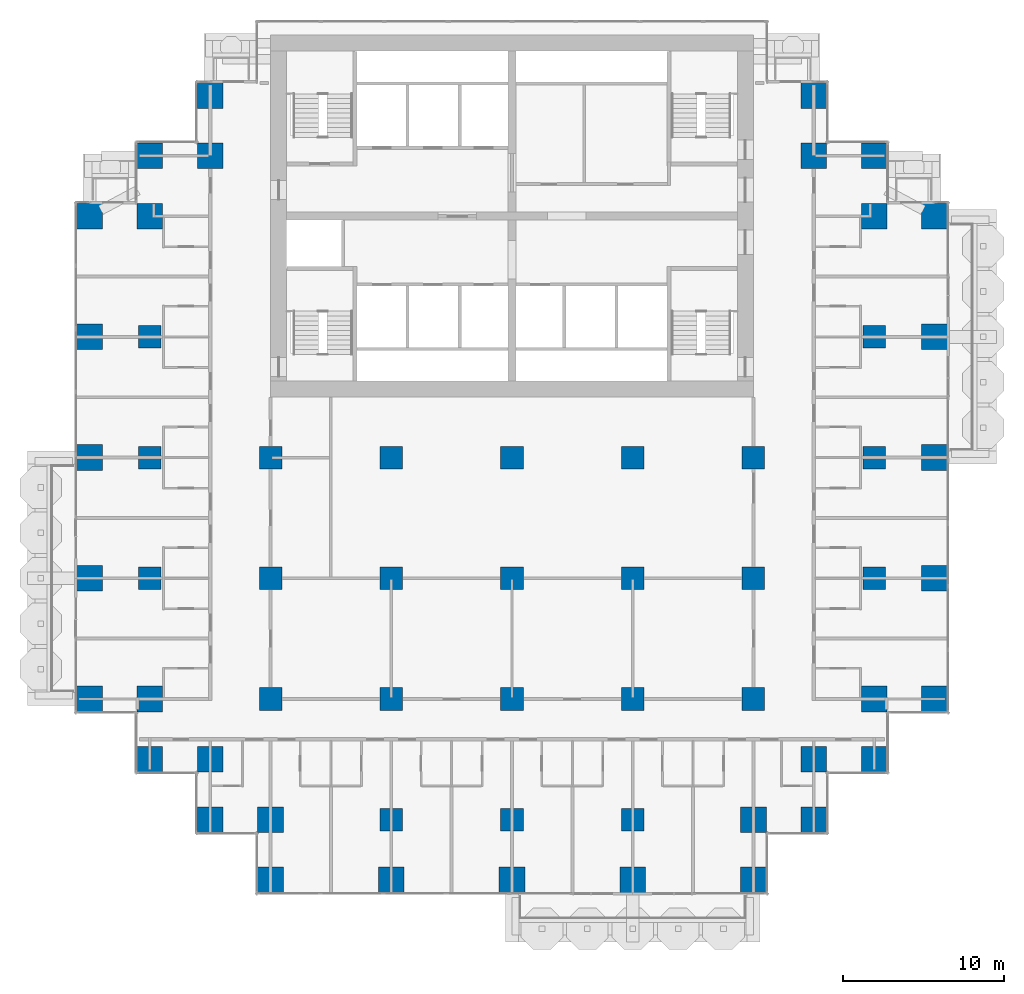
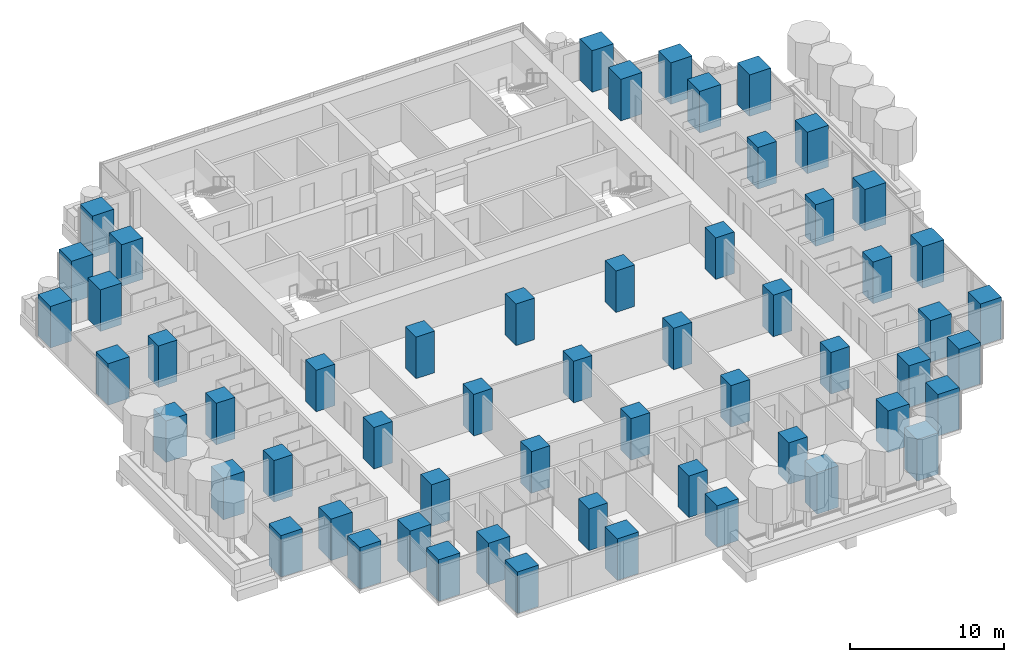
# One storey, part 1 of 19: 57 columns.
"""IFC4 building model written with IfcOpenShell, lengths in metres."""

from ifc_helpers import new_model, si_unit, direction, frame, origin, origin_2d, place, context, subcontext, project, spatial, rectangle, extrude, material, material_profile, profile_set, type_object, element, save


model = new_model("IFC4")

# Units and contexts
model_context = context("Model", 3, precision=1e-05, world=origin(), true_north=direction((0.0, 1.0)))
body_context = subcontext(model_context, "Body", "Model", "MODEL_VIEW")
ifc_project = project(units=[si_unit("LENGTHUNIT", "METRE"), si_unit("AREAUNIT", "SQUARE_METRE"), si_unit("VOLUMEUNIT", "CUBIC_METRE"), si_unit("PLANEANGLEUNIT", "RADIAN"), si_unit("MASSUNIT", "GRAM", prefix="KILO")], contexts=[model_context])

# Site, building, storey
site_placement = place(None, origin())
site = spatial("IfcSite", under=ifc_project, at=site_placement, CompositionType="ELEMENT")
building_placement = place(site_placement, origin())
building = spatial("IfcBuilding", under=site, at=building_placement, Name="Pilkhan Gate Tower", CompositionType="ELEMENT")
storey_placement = place(building_placement, frame((0.0, 0.0, 39.5)))
storey = spatial("IfcBuildingStorey", under=building, at=storey_placement, Name="L06", CompositionType="ELEMENT", Elevation=39.5)

# Columns
ifc_material = material(Name="Concrete C70/85", Category="concrete")
ifc_material_profile_1 = material_profile(ifc_material, rectangle(XDim=1.39990234375, YDim=1.39990234375, at=origin_2d()), Name="RC 1400x1400")
ifc_profile_set_1 = profile_set([ifc_material_profile_1], Name="Concrete C70/85")
column_type_1 = type_object("IfcColumnType", Name="Column C140 RC 1400x1400 C70/85", PredefinedType="COLUMN", material=ifc_profile_set_1)
for number, where, z_axis, x_axis, name in (
    (1, (52.5, 60.0, 0.0), (0.0, 0.0, 1.0), (1.0, 0.0, 0.0), "Column 5/F L06"),
    (2, (52.5, 67.5, 0.0), (0.0, 0.0, 1.0), (1.0, 0.0, 0.0), "Column 5/H L06"),
    (3, (52.5, 75.0, 0.0), (0.0, 0.0, 1.0), (1.0, 0.0, 0.0), "Column 5/K L06"),
    (4, (60.0, 52.5, 0.0), (0.0, 0.0, 1.0), (1.0, 0.0, 0.0), "Column 7/D L06"),
    (5, (60.0, 60.0, 0.0), (0.0, 0.0, 1.0), (1.0, 0.0, 0.0), "Column 7/F L06"),
    (6, (60.0, 67.5, 0.0), (0.0, 0.0, 1.0), (1.0, 0.0, 0.0), "Column 7/H L06"),
    (7, (67.5, 45.0, 0.0), (0.0, 0.0, 1.0), (1.0, 0.0, 0.0), "Column 9/B L06"),
    (8, (67.5, 52.5, 0.0), (0.0, 0.0, 1.0), (1.0, 0.0, 0.0), "Column 9/D L06"),
    (9, (67.5, 60.0, 0.0), (0.0, 0.0, 1.0), (1.0, 0.0, 0.0), "Column 9/F L06"),
    (10, (67.5, 67.5, 0.0), (0.0, 0.0, 1.0), (1.0, 0.0, 0.0), "Column 9/H L06"),
    (11, (75.0, 45.0, 0.0), (0.0, 0.0, 1.0), (1.0, 0.0, 0.0), "Column 11/B L06"),
    (12, (75.0, 52.5, 0.0), (0.0, 0.0, 1.0), (1.0, 0.0, 0.0), "Column 11/D L06"),
    (13, (75.0, 60.0, 0.0), (0.0, 0.0, 1.0), (1.0, 0.0, 0.0), "Column 11/F L06"),
    (14, (75.0, 67.5, 0.0), (0.0, 0.0, 1.0), (1.0, 0.0, 0.0), "Column 11/H L06"),
    (15, (82.5, 45.0, 0.0), (0.0, 0.0, 1.0), (1.0, 0.0, 0.0), "Column 13/B L06"),
    (16, (82.5, 52.5, 0.0), (0.0, 0.0, 1.0), (1.0, 0.0, 0.0), "Column 13/D L06"),
    (17, (82.5, 60.0, 0.0), (0.0, 0.0, 1.0), (1.0, 0.0, 0.0), "Column 13/F L06"),
    (18, (82.5, 67.5, 0.0), (0.0, 0.0, 1.0), (1.0, 0.0, 0.0), "Column 13/H L06"),
    (19, (90.0, 52.5, 0.0), (0.0, 0.0, 1.0), (1.0, 0.0, 0.0), "Column 15/D L06"),
    (20, (90.0, 60.0, 0.0), (0.0, 0.0, 1.0), (1.0, 0.0, 0.0), "Column 15/F L06"),
    (21, (90.0, 67.5, 0.0), (0.0, 0.0, 1.0), (1.0, 0.0, 0.0), "Column 15/H L06"),
    (22, (97.5, 60.0, 0.0), (0.0, 0.0, 1.0), (1.0, 0.0, 0.0), "Column 17/F L06"),
    (23, (97.5, 67.5, 0.0), (0.0, 0.0, 1.0), (1.0, 0.0, 0.0), "Column 17/H L06"),
    (24, (97.5, 75.0, 0.0), (0.0, 0.0, 1.0), (1.0, 0.0, 0.0), "Column 17/K L06"),
):
    element("IfcColumn", number, at=place(storey_placement, frame(where, z_axis=z_axis, x_axis=x_axis)), inside=storey, type_object=column_type_1, Name=name, PredefinedType="COLUMN", context=body_context, shape_type="SweptSolid", body=[
        extrude(rectangle(XDim=1.39990234375, YDim=1.39990234375, at=origin_2d()), origin(), (0.0, 0.0, 1.0), 3.300048828125),
    ])
ifc_material_profile_2 = material_profile(ifc_material, rectangle(XDim=1.60009765625, YDim=1.60009765625, at=origin_2d()), Name="RC 1600x1600")
ifc_profile_set_2 = profile_set([ifc_material_profile_2], Name="Concrete C70/85")
column_type_2 = type_object("IfcColumnType", Name="Column C160 RC 1600x1600 C70/85", PredefinedType="COLUMN", material=ifc_profile_set_2)
for number, where, z_axis, x_axis, name in (
    (25, (48.75, 52.5, 0.0), (0.0, 0.0, 1.0), (1.0, 0.0, 0.0), "Column 4/D L06"),
    (26, (48.75, 60.0, 0.0), (0.0, 0.0, 1.0), (1.0, 0.0, 0.0), "Column 4/F L06"),
    (27, (48.75, 67.5, 0.0), (0.0, 0.0, 1.0), (1.0, 0.0, 0.0), "Column 4/H L06"),
    (28, (48.75, 75.0, 0.0), (0.0, 0.0, 1.0), (1.0, 0.0, 0.0), "Column 4/K L06"),
    (29, (48.75, 82.5, 0.0), (0.0, 0.0, 1.0), (1.0, 0.0, 0.0), "Column 4/M L06"),
    (30, (52.5, 48.75, 0.0), (0.0, 0.0, 1.0), (1.0, 0.0, 0.0), "Column 5/C L06"),
    (31, (52.5, 52.5, 0.0), (0.0, 0.0, 1.0), (1.0, 0.0, 0.0), "Column 5/D L06"),
    (32, (52.5, 82.5, 0.0), (0.0, 0.0, 1.0), (1.0, 0.0, 0.0), "Column 5/M L06"),
    (33, (52.5, 86.25, 0.0), (0.0, 0.0, 1.0), (1.0, 0.0, 0.0), "Column 5/N L06"),
    (34, (56.25, 45.0, 0.0), (0.0, 0.0, 1.0), (1.0, 0.0, 0.0), "Column 6/B L06"),
    (35, (56.25, 48.75, 0.0), (0.0, 0.0, 1.0), (1.0, 0.0, 0.0), "Column 6/C L06"),
    (36, (56.25, 86.25, 0.0), (0.0, 0.0, 1.0), (1.0, 0.0, 0.0), "Column 6/N L06"),
    (37, (56.25, 90.0, 0.0), (0.0, 0.0, 1.0), (1.0, 0.0, 0.0), "Column 6/P L06"),
    (38, (60.0, 41.25, 0.0), (0.0, 0.0, 1.0), (1.0, 0.0, 0.0), "Column 7/A L06"),
    (39, (60.0, 45.0, 0.0), (0.0, 0.0, 1.0), (1.0, 0.0, 0.0), "Column 7/B L06"),
    (40, (67.5, 41.25, 0.0), (0.0, 0.0, 1.0), (1.0, 0.0, 0.0), "Column 9/A L06"),
    (41, (75.0, 41.25, 0.0), (0.0, 0.0, 1.0), (1.0, 0.0, 0.0), "Column 11/A L06"),
    (42, (82.5, 41.25, 0.0), (0.0, 0.0, 1.0), (1.0, 0.0, 0.0), "Column 13/A L06"),
    (43, (90.0, 41.25, 0.0), (0.0, 0.0, 1.0), (1.0, 0.0, 0.0), "Column 15/A L06"),
    (44, (90.0, 45.0, 0.0), (0.0, 0.0, 1.0), (1.0, 0.0, 0.0), "Column 15/B L06"),
    (45, (93.75, 45.0, 0.0), (0.0, 0.0, 1.0), (1.0, 0.0, 0.0), "Column 16/B L06"),
    (46, (93.75, 48.75, 0.0), (0.0, 0.0, 1.0), (1.0, 0.0, 0.0), "Column 16/C L06"),
    (47, (93.75, 86.25, 0.0), (0.0, 0.0, 1.0), (1.0, 0.0, 0.0), "Column 16/N L06"),
    (48, (93.75, 90.0, 0.0), (0.0, 0.0, 1.0), (1.0, 0.0, 0.0), "Column 16/P L06"),
    (49, (97.5, 48.75, 0.0), (0.0, 0.0, 1.0), (1.0, 0.0, 0.0), "Column 17/C L06"),
    (50, (97.5, 52.5, 0.0), (0.0, 0.0, 1.0), (1.0, 0.0, 0.0), "Column 17/D L06"),
    (51, (97.5, 82.5, 0.0), (0.0, 0.0, 1.0), (1.0, 0.0, 0.0), "Column 17/M L06"),
    (52, (97.5, 86.25, 0.0), (0.0, 0.0, 1.0), (1.0, 0.0, 0.0), "Column 17/N L06"),
    (53, (101.25, 52.5, 0.0), (0.0, 0.0, 1.0), (1.0, 0.0, 0.0), "Column 18/D L06"),
    (54, (101.25, 60.0, 0.0), (0.0, 0.0, 1.0), (1.0, 0.0, 0.0), "Column 18/F L06"),
    (55, (101.25, 67.5, 0.0), (0.0, 0.0, 1.0), (1.0, 0.0, 0.0), "Column 18/H L06"),
    (56, (101.25, 75.0, 0.0), (0.0, 0.0, 1.0), (1.0, 0.0, 0.0), "Column 18/K L06"),
    (57, (101.25, 82.5, 0.0), (0.0, 0.0, 1.0), (1.0, 0.0, 0.0), "Column 18/M L06"),
):
    element("IfcColumn", number, at=place(storey_placement, frame(where, z_axis=z_axis, x_axis=x_axis)), inside=storey, type_object=column_type_2, Name=name, PredefinedType="COLUMN", context=body_context, shape_type="SweptSolid", body=[
        extrude(rectangle(XDim=1.60009765625, YDim=1.60009765625, at=origin_2d()), origin(), (0.0, 0.0, 1.0), 3.300048828125),
    ])

save(model, "model.ifc")
